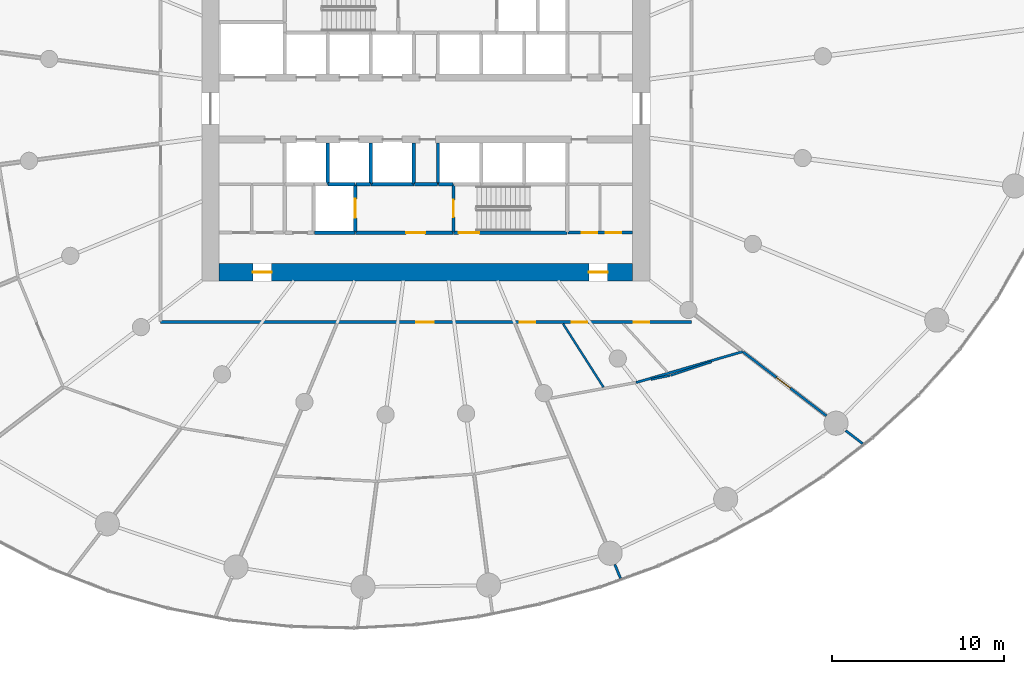
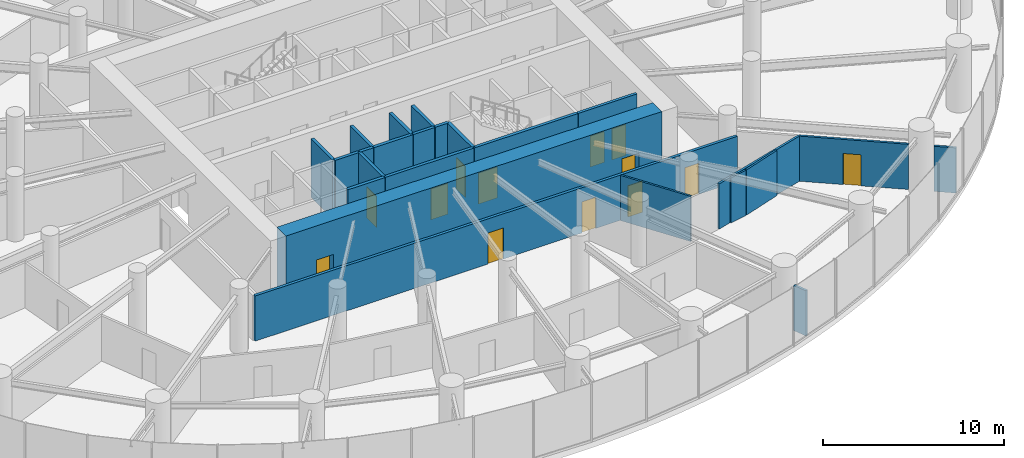
# One storey, part 12 of 18: 24 walls, 13 doors, 13 openings.
"""IFC4 building model written with IfcOpenShell, lengths in metres."""

from ifc_helpers import new_model, si_unit, direction, frame, frame_2d, origin, place, context, subcontext, project, spatial, rectangle, extrude, source, transform, mapped, material, layer, layer_set, type_object, element, fill, save


model = new_model("IFC4")

# Units and contexts
model_context = context("Model", 3, precision=1e-05, world=origin(), true_north=direction((0.0, 1.0)))
body_context = subcontext(model_context, "Body", "Model", "MODEL_VIEW")
ifc_project = project(units=[si_unit("LENGTHUNIT", "METRE"), si_unit("AREAUNIT", "SQUARE_METRE"), si_unit("VOLUMEUNIT", "CUBIC_METRE"), si_unit("PLANEANGLEUNIT", "RADIAN"), si_unit("MASSUNIT", "GRAM", prefix="KILO")], contexts=[model_context])

# Site, building, storey
site_placement = place(None, origin())
site = spatial("IfcSite", under=ifc_project, at=site_placement, CompositionType="ELEMENT")
building_placement = place(site_placement, origin())
building = spatial("IfcBuilding", under=site, at=building_placement, Name="Spindrift Exchange Tower", CompositionType="ELEMENT")
storey_placement = place(building_placement, frame((0.0, 0.0, 66.60009765625)))
storey = spatial("IfcBuildingStorey", under=building, at=storey_placement, Name="L15", CompositionType="ELEMENT", Elevation=66.60009765625)

# Wall, openings, doors
ifc_material_1 = material(Name="Concrete 80 MPa", Category="concrete")
ifc_layer_1 = layer(ifc_material_1, 1.0)
ifc_layer_set_1 = layer_set([ifc_layer_1], Name="RC Core Wall 1000 Concrete 80 MPa")
wall_type_1 = type_object("IfcWallType", Name="RC Core Wall 1000 Concrete 80 MPa", PredefinedType="SHEAR", material=ifc_layer_set_1)
wall_1_placement = place(storey_placement, frame((40.0, 38.5, 0.0), z_axis=(0.0, 0.0, 1.0), x_axis=(1.0, 0.0, 0.0)))
wall_1 = element("IfcWall", 1, at=wall_1_placement, inside=storey, type_object=wall_type_1, Name="Core wall S L15", PredefinedType="SHEAR", context=body_context, shape_type="SweptSolid", body=[
    extrude(rectangle(XDim=24.0, YDim=1.0, at=frame_2d((12.0, 0.0))), origin(), (0.0, 0.0, 1.0), 4.39990234375),
])
opening_1_placement = place(wall_1_placement, frame((21.449951171875, 0.0, 0.0)))
opening_1 = element("IfcOpeningElement", 2, at=opening_1_placement, cuts=wall_1, Name="Opening L15-D22", PredefinedType="OPENING", context=body_context, shape_type="SweptSolid", body=[
    extrude(rectangle(XDim=1.10009765625, YDim=2.10009765625, at=frame_2d((0.550048828125, 1.050048828125))), frame((0.0, 0.510009765625, 0.0), z_axis=(0.0, -1.0, 0.0), x_axis=(1.0, 0.0, 0.0)), (0.0, 0.0, 1.0), 1.02001953125),
])
opening_2_placement = place(wall_1_placement, frame((1.949951171875, 0.0, 0.0)))
opening_2 = element("IfcOpeningElement", 3, at=opening_2_placement, cuts=wall_1, Name="Opening L15-D23", PredefinedType="OPENING", context=body_context, shape_type="SweptSolid", body=[
    extrude(rectangle(XDim=1.10009765625, YDim=2.10009765625, at=frame_2d((0.550048828125, 1.050048828125))), frame((0.0, 0.510009765625, 0.0), z_axis=(0.0, -1.0, 0.0), x_axis=(1.0, 0.0, 0.0)), (0.0, 0.0, 1.0), 1.02001953125),
])
ifc_material_2 = material(Name="Steel fire door", Category="steel")
door_type_1 = type_object("IfcDoorType", Name="DR-STAIR-1100", OperationType="NOTDEFINED", PredefinedType="DOOR", material=ifc_material_2)
shared_shape_1 = source(origin(), body_context, "Body", "SweptSolid", [
    extrude(rectangle(XDim=1.10009765625, YDim=2.10009765625, at=frame_2d((0.550048828125, 1.050048828125))), frame((0.0, 0.02490234375, 0.0), z_axis=(0.0, -1.0, 0.0), x_axis=(1.0, 0.0, 0.0)), (0.0, 0.0, 1.0), 0.050048828125),
])
door_1_placement = place(opening_1_placement, origin())
door_1 = element("IfcDoor", 4, at=door_1_placement, inside=storey, type_object=door_type_1, Name="L15 Stair door 22", OperationType="SINGLE_SWING_RIGHT", OverallHeight=2.10009765625, OverallWidth=1.10009765625, PredefinedType="DOOR", context=body_context, shape_type="MappedRepresentation", body=[
    mapped(shared_shape_1, transform((0.0, 0.0, 0.0), scale=1.0)),
])
fill(opening_1, door_1)
door_2_placement = place(opening_2_placement, origin())
door_2 = element("IfcDoor", 5, at=door_2_placement, inside=storey, type_object=door_type_1, Name="L15 Stair door 23", OperationType="SINGLE_SWING_LEFT", OverallHeight=2.10009765625, OverallWidth=1.10009765625, PredefinedType="DOOR", context=body_context, shape_type="MappedRepresentation", body=[
    mapped(shared_shape_1, transform((0.0, 0.0, 0.0), scale=1.0)),
])
fill(opening_2, door_2)

ifc_material_3 = material(Name="Fire-rated plasterboard partition", Category="gypsum")
ifc_layer_2 = layer(ifc_material_3, 0.179931640625)
ifc_layer_set_2 = layer_set([ifc_layer_2], Name="W-CORR-180")
wall_type_2 = type_object("IfcWallType", Name="W-CORR-180", PredefinedType="PARTITIONING", material=ifc_layer_set_2)
wall_2_placement = place(storey_placement, frame((60.22998046875, 40.800048828125, 0.0), z_axis=(0.0, 0.0, 1.0), x_axis=(1.0, 0.0, 0.0)))
wall_2 = element("IfcWall", 6, at=wall_2_placement, inside=storey, type_object=wall_type_2, Name="L15 Partition wall 63", PredefinedType="PARTITIONING", context=body_context, shape_type="SweptSolid", body=[
    extrude(rectangle(XDim=3.75, YDim=0.179931640625, at=frame_2d((1.875, 0.0))), origin(), (0.0, 0.0, 1.0), 3.949951171875),
])
opening_3_placement = place(wall_2_placement, frame((0.800048828125, 0.0, 0.0)))
opening_3 = element("IfcOpeningElement", 7, at=opening_3_placement, cuts=wall_2, Name="Opening L15-D52", PredefinedType="OPENING", context=body_context, shape_type="SweptSolid", body=[
    extrude(rectangle(XDim=0.89990234375, YDim=2.10009765625, at=frame_2d((0.449951171875, 1.050048828125))), frame((0.0, 0.099853515625, 0.0), z_axis=(0.0, -1.0, 0.0), x_axis=(1.0, 0.0, 0.0)), (0.0, 0.0, 1.0), 0.199951171875),
])
opening_4_placement = place(wall_2_placement, frame((2.199951171875, 0.0, 0.0)))
opening_4 = element("IfcOpeningElement", 8, at=opening_4_placement, cuts=wall_2, Name="Opening L15-D53", PredefinedType="OPENING", context=body_context, shape_type="SweptSolid", body=[
    extrude(rectangle(XDim=0.89990234375, YDim=2.10009765625, at=frame_2d((0.449951171875, 1.050048828125))), frame((0.0, 0.099853515625, 0.0), z_axis=(0.0, -1.0, 0.0), x_axis=(1.0, 0.0, 0.0)), (0.0, 0.0, 1.0), 0.199951171875),
])
ifc_material_4 = material(Name="Steel access door", Category="steel")
door_type_2 = type_object("IfcDoorType", Name="DR-RISER-900", OperationType="NOTDEFINED", PredefinedType="DOOR", material=ifc_material_4)
shared_shape_2 = source(origin(), body_context, "Body", "SweptSolid", [
    extrude(rectangle(XDim=0.89990234375, YDim=2.10009765625, at=frame_2d((0.449951171875, 1.050048828125))), frame((0.0, 0.02490234375, 0.0), z_axis=(0.0, -1.0, 0.0), x_axis=(1.0, 0.0, 0.0)), (0.0, 0.0, 1.0), 0.050048828125),
])
door_3_placement = place(opening_3_placement, origin())
door_3 = element("IfcDoor", 9, at=door_3_placement, inside=storey, type_object=door_type_2, Name="L15 Riser door 52", OperationType="SINGLE_SWING_RIGHT", OverallHeight=2.10009765625, OverallWidth=0.89990234375, PredefinedType="DOOR", context=body_context, shape_type="MappedRepresentation", body=[
    mapped(shared_shape_2, transform((0.0, 0.0, 0.0), scale=1.0)),
])
fill(opening_3, door_3)
door_4_placement = place(opening_4_placement, origin())
door_4 = element("IfcDoor", 10, at=door_4_placement, inside=storey, type_object=door_type_2, Name="L15 Riser door 53", OperationType="SINGLE_SWING_LEFT", OverallHeight=2.10009765625, OverallWidth=0.89990234375, PredefinedType="DOOR", context=body_context, shape_type="MappedRepresentation", body=[
    mapped(shared_shape_2, transform((0.0, 0.0, 0.0), scale=1.0)),
])
fill(opening_4, door_4)

# Wall
ifc_layer_3 = layer(ifc_material_3, 0.139892578125)
ifc_layer_set_3 = layer_set([ifc_layer_3], Name="W-PART-140")
wall_type_3 = type_object("IfcWallType", Name="W-PART-140", PredefinedType="PARTITIONING", material=ifc_layer_set_3)
wall_3_placement = place(storey_placement, frame((64.20068359375, 32.099609375, 0.0), z_axis=(0.0, 0.0, 1.0), x_axis=(0.96039403273, 0.278645477079, 0.0)))
element("IfcWall", 11, at=wall_3_placement, inside=storey, type_object=wall_type_3, Name="L15 Partition wall 80", PredefinedType="PARTITIONING", context=body_context, shape_type="SweptSolid", body=[
    extrude(rectangle(XDim=6.43798828125, YDim=0.139892578125, at=frame_2d((3.218994140625, 0.0))), origin(), (0.0, 0.0, 1.0), 3.0498046875),
])

# Wall, opening, door
wall_4_placement = place(storey_placement, frame((75.241943359375, 30.166015625, 0.0), z_axis=(0.0, 0.0, 1.0), x_axis=(-0.793369627486, 0.608740202535, 0.0)))
wall_4 = element("IfcWall", 12, at=wall_4_placement, inside=storey, type_object=wall_type_3, Name="L15 Partition wall 84", PredefinedType="PARTITIONING", context=body_context, shape_type="SweptSolid", body=[
    extrude(rectangle(XDim=6.09326171875, YDim=0.139892578125, at=frame_2d((3.046630859375, 0.0))), origin(), (0.0, 0.0, 1.0), 3.0498046875),
])
opening_5_placement = place(wall_4_placement, frame((2.643310546875, 0.0, 0.0)))
opening_5 = element("IfcOpeningElement", 13, at=opening_5_placement, cuts=wall_4, Name="Opening L15-D28", PredefinedType="OPENING", context=body_context, shape_type="SweptSolid", body=[
    extrude(rectangle(XDim=1.0, YDim=2.10009765625, at=frame_2d((0.5, 1.050048828125))), frame((0.0, 0.079833984375, 0.0), z_axis=(0.0, -1.0, 0.0), x_axis=(1.0, 0.0, 0.0)), (0.0, 0.0, 1.0), 0.159912109375),
])
ifc_material_5 = material(Name="Timber-core fire door", Category="wood")
door_type_3 = type_object("IfcDoorType", Name="DR-ROOM-1000", OperationType="NOTDEFINED", PredefinedType="DOOR", material=ifc_material_5)
shared_shape_3 = source(origin(), body_context, "Body", "SweptSolid", [
    extrude(rectangle(XDim=1.0, YDim=2.10009765625, at=frame_2d((0.5, 1.050048828125))), frame((0.0, 0.02490234375, 0.0), z_axis=(0.0, -1.0, 0.0), x_axis=(1.0, 0.0, 0.0)), (0.0, 0.0, 1.0), 0.050048828125),
])
door_5_placement = place(opening_5_placement, origin())
door_5 = element("IfcDoor", 14, at=door_5_placement, inside=storey, type_object=door_type_3, Name="L15 Door 28", OperationType="SINGLE_SWING_RIGHT", OverallHeight=2.10009765625, OverallWidth=1.0, PredefinedType="DOOR", context=body_context, shape_type="MappedRepresentation", body=[
    mapped(shared_shape_3, transform((0.0, 0.0, 0.0), scale=1.0)),
])
fill(opening_5, door_5)

# Walls
wall_5_placement = place(storey_placement, frame((76.359375, 29.30859375, 0.0), z_axis=(0.0, 0.0, 1.0), x_axis=(0.793287286722, -0.608847502028, 0.0)))
element("IfcWall", 15, at=wall_5_placement, inside=storey, type_object=wall_type_3, Name="L15 Partition wall 123", PredefinedType="PARTITIONING", context=body_context, shape_type="SweptSolid", body=[
    extrude(rectangle(XDim=1.244384765625, YDim=0.139892578125, at=frame_2d((0.6220703125, 0.0))), origin(), (0.0, 0.0, 1.0), 3.0498046875),
])
wall_6_placement = place(storey_placement, frame((62.960205078125, 21.5400390625, 0.0), z_axis=(0.0, 0.0, 1.0), x_axis=(0.382660776335, -0.923888916621, 0.0)))
element("IfcWall", 16, at=wall_6_placement, inside=storey, type_object=wall_type_3, Name="L15 Partition wall 128", PredefinedType="PARTITIONING", context=body_context, shape_type="SweptSolid", body=[
    extrude(rectangle(XDim=0.860595703125, YDim=0.139892578125, at=frame_2d((0.43017578125, 0.0))), origin(), (0.0, 0.0, 1.0), 3.0498046875),
])

# Wall, openings, doors
ifc_layer_4 = layer(ifc_material_3, 0.179931640625)
ifc_layer_set_4 = layer_set([ifc_layer_4], Name="W-PLANT-180")
wall_type_4 = type_object("IfcWallType", Name="W-PLANT-180", PredefinedType="PARTITIONING", material=ifc_layer_set_4)
wall_7_placement = place(storey_placement, frame((67.39990234375, 35.60009765625, 0.0), z_axis=(0.0, 0.0, 1.0), x_axis=(-1.0, 0.0, 0.0)))
wall_7 = element("IfcWall", 17, at=wall_7_placement, inside=storey, type_object=wall_type_4, Name="L15 Partition wall 57", PredefinedType="PARTITIONING", context=body_context, shape_type="SweptSolid", body=[
    extrude(rectangle(XDim=30.7998046875, YDim=0.179931640625, at=frame_2d((15.39990234375, 0.0))), origin(), (0.0, 0.0, 1.0), 3.0498046875),
])
opening_6_placement = place(wall_7_placement, frame((9.050048828125, 0.0, 0.0)))
opening_6 = element("IfcOpeningElement", 18, at=opening_6_placement, cuts=wall_7, Name="Opening L15-D24", PredefinedType="OPENING", context=body_context, shape_type="SweptSolid", body=[
    extrude(rectangle(XDim=0.89990234375, YDim=2.10009765625, at=frame_2d((0.449951171875, 1.050048828125))), frame((0.0, 0.099853515625, 0.0), z_axis=(0.0, -1.0, 0.0), x_axis=(1.0, 0.0, 0.0)), (0.0, 0.0, 1.0), 0.199951171875),
])
opening_7_placement = place(wall_7_placement, frame((6.050048828125, 0.0, 0.0)))
opening_7 = element("IfcOpeningElement", 19, at=opening_7_placement, cuts=wall_7, Name="Opening L15-D25", PredefinedType="OPENING", context=body_context, shape_type="SweptSolid", body=[
    extrude(rectangle(XDim=0.89990234375, YDim=2.10009765625, at=frame_2d((0.449951171875, 1.050048828125))), frame((0.0, 0.099853515625, 0.0), z_axis=(0.0, -1.0, 0.0), x_axis=(1.0, 0.0, 0.0)), (0.0, 0.0, 1.0), 0.199951171875),
])
opening_8_placement = place(wall_7_placement, frame((2.449951171875, 0.0, 0.0)))
opening_8 = element("IfcOpeningElement", 20, at=opening_8_placement, cuts=wall_7, Name="Opening L15-D26", PredefinedType="OPENING", context=body_context, shape_type="SweptSolid", body=[
    extrude(rectangle(XDim=0.89990234375, YDim=2.10009765625, at=frame_2d((0.449951171875, 1.050048828125))), frame((0.0, 0.099853515625, 0.0), z_axis=(0.0, -1.0, 0.0), x_axis=(1.0, 0.0, 0.0)), (0.0, 0.0, 1.0), 0.199951171875),
])
opening_9_placement = place(wall_7_placement, frame((14.949951171875, 0.0, 0.0)))
opening_9 = element("IfcOpeningElement", 21, at=opening_9_placement, cuts=wall_7, Name="Opening L15-D41", PredefinedType="OPENING", context=body_context, shape_type="SweptSolid", body=[
    extrude(rectangle(XDim=1.0, YDim=2.10009765625, at=frame_2d((0.5, 1.050048828125))), frame((0.0, 0.099853515625, 0.0), z_axis=(0.0, -1.0, 0.0), x_axis=(1.0, 0.0, 0.0)), (0.0, 0.0, 1.0), 0.199951171875),
])
door_6_placement = place(opening_9_placement, origin())
door_6 = element("IfcDoor", 22, at=door_6_placement, inside=storey, type_object=door_type_3, Name="L15 Door 41", OperationType="SINGLE_SWING_LEFT", OverallHeight=2.10009765625, OverallWidth=1.0, PredefinedType="DOOR", context=body_context, shape_type="MappedRepresentation", body=[
    mapped(shared_shape_3, transform((0.0, 0.0, 0.0), scale=1.0)),
])
fill(opening_9, door_6)
ifc_material_6 = material(Name="Laminate washroom door", Category="wood")
door_type_4 = type_object("IfcDoorType", Name="DR-WC-900", OperationType="NOTDEFINED", PredefinedType="DOOR", material=ifc_material_6)
shared_shape_4 = source(origin(), body_context, "Body", "SweptSolid", [
    extrude(rectangle(XDim=0.89990234375, YDim=2.10009765625, at=frame_2d((0.449951171875, 1.050048828125))), frame((0.0, 0.02490234375, 0.0), z_axis=(0.0, -1.0, 0.0), x_axis=(1.0, 0.0, 0.0)), (0.0, 0.0, 1.0), 0.050048828125),
])
door_7_placement = place(opening_6_placement, origin())
door_7 = element("IfcDoor", 23, at=door_7_placement, inside=storey, type_object=door_type_4, Name="L15 WC door 24", OperationType="SINGLE_SWING_RIGHT", OverallHeight=2.10009765625, OverallWidth=0.89990234375, PredefinedType="DOOR", context=body_context, shape_type="MappedRepresentation", body=[
    mapped(shared_shape_4, transform((0.0, 0.0, 0.0), scale=1.0)),
])
fill(opening_6, door_7)
door_8_placement = place(opening_7_placement, origin())
door_8 = element("IfcDoor", 24, at=door_8_placement, inside=storey, type_object=door_type_4, Name="L15 WC door 25", OperationType="SINGLE_SWING_LEFT", OverallHeight=2.10009765625, OverallWidth=0.89990234375, PredefinedType="DOOR", context=body_context, shape_type="MappedRepresentation", body=[
    mapped(shared_shape_4, transform((0.0, 0.0, 0.0), scale=1.0)),
])
fill(opening_7, door_8)
door_9_placement = place(opening_8_placement, origin())
door_9 = element("IfcDoor", 25, at=door_9_placement, inside=storey, type_object=door_type_4, Name="L15 WC door 26", OperationType="SINGLE_SWING_RIGHT", OverallHeight=2.10009765625, OverallWidth=0.89990234375, PredefinedType="DOOR", context=body_context, shape_type="MappedRepresentation", body=[
    mapped(shared_shape_4, transform((0.0, 0.0, 0.0), scale=1.0)),
])
fill(opening_8, door_9)

# Wall, opening, door
ifc_material_7 = material(Name="Concrete 40 MPa", Category="concrete")
ifc_layer_5 = layer(ifc_material_7, 0.199951171875)
ifc_layer_set_5 = layer_set([ifc_layer_5], Name="W-SHAFT-200")
wall_type_5 = type_object("IfcWallType", Name="W-SHAFT-200", PredefinedType="SOLIDWALL", material=ifc_layer_set_5)
wall_8_placement = place(storey_placement, frame((47.89990234375, 40.830078125, 0.0), z_axis=(0.0, 0.0, 1.0), x_axis=(0.0, 1.0, 0.0)))
wall_8 = element("IfcWall", 26, at=wall_8_placement, inside=storey, type_object=wall_type_5, Name="L15 Shaft wall 8", PredefinedType="SOLIDWALL", context=body_context, shape_type="SweptSolid", body=[
    extrude(rectangle(XDim=2.77001953125, YDim=0.199951171875, at=frame_2d((1.385009765625, 0.0))), origin(), (0.0, 0.0, 1.0), 3.949951171875),
])
opening_10_placement = place(wall_8_placement, frame((0.820068359375, 0.0, 0.0)))
opening_10 = element("IfcOpeningElement", 27, at=opening_10_placement, cuts=wall_8, Name="Opening L15-D10", PredefinedType="OPENING", context=body_context, shape_type="SweptSolid", body=[
    extrude(rectangle(XDim=1.10009765625, YDim=2.10009765625, at=frame_2d((0.550048828125, 1.050048828125))), frame((0.0, 0.10986328125, 0.0), z_axis=(0.0, -1.0, 0.0), x_axis=(1.0, 0.0, 0.0)), (0.0, 0.0, 1.0), 0.219970703125),
])
ifc_material_8 = material(Name="Stainless steel landing door", Category="steel")
door_type_5 = type_object("IfcDoorType", Name="DR-LANDING-1100-SL", OperationType="DOUBLE_DOOR_SLIDING", PredefinedType="USERDEFINED", material=ifc_material_8)
shared_shape_5 = source(origin(), body_context, "Body", "SweptSolid", [
    extrude(rectangle(XDim=1.10009765625, YDim=2.10009765625, at=frame_2d((0.550048828125, 1.050048828125))), frame((0.0, 0.02490234375, 0.0), z_axis=(0.0, -1.0, 0.0), x_axis=(1.0, 0.0, 0.0)), (0.0, 0.0, 1.0), 0.050048828125),
])
door_10_placement = place(opening_10_placement, origin())
door_10 = element("IfcDoor", 28, at=door_10_placement, inside=storey, type_object=door_type_5, Name="L15 Lift landing door 10", ObjectType="LANDING DOOR", OperationType="DOUBLE_DOOR_SLIDING", OverallHeight=2.10009765625, OverallWidth=1.10009765625, PredefinedType="USERDEFINED", context=body_context, shape_type="MappedRepresentation", body=[
    mapped(shared_shape_5, transform((0.0, 0.0, 0.0), scale=1.0)),
])
fill(opening_10, door_10)

# Walls
wall_9_placement = place(storey_placement, frame((48.800048828125, 43.60009765625, 0.0), z_axis=(0.0, 0.0, 1.0), x_axis=(1.0, 0.0, 0.0)))
element("IfcWall", 29, at=wall_9_placement, inside=storey, type_object=wall_type_5, Name="L15 Shaft wall 17", PredefinedType="SOLIDWALL", context=body_context, shape_type="SweptSolid", body=[
    extrude(rectangle(XDim=2.5, YDim=0.199951171875, at=frame_2d((1.25, 0.0))), origin(), (0.0, 0.0, 1.0), 3.949951171875),
])
wall_10_placement = place(storey_placement, frame((45.530029296875, 40.800048828125, 0.0), z_axis=(0.0, 0.0, 1.0), x_axis=(1.0, 0.0, 0.0)))
element("IfcWall", 30, at=wall_10_placement, inside=storey, type_object=wall_type_5, Name="L15 Shaft wall 21", PredefinedType="SOLIDWALL", context=body_context, shape_type="SweptSolid", body=[
    extrude(rectangle(XDim=2.340087890625, YDim=0.199951171875, at=frame_2d((1.169921875, 0.0))), origin(), (0.0, 0.0, 1.0), 3.949951171875),
])
wall_11_placement = place(storey_placement, frame((46.300048828125, 43.60009765625, 0.0), z_axis=(0.0, 0.0, 1.0), x_axis=(0.0, 1.0, 0.0)))
element("IfcWall", 31, at=wall_11_placement, inside=storey, type_object=wall_type_5, Name="L15 Shaft wall 25", PredefinedType="SOLIDWALL", context=body_context, shape_type="SweptSolid", body=[
    extrude(rectangle(XDim=2.389892578125, YDim=0.199951171875, at=frame_2d((1.19482421875, 0.0))), origin(), (0.0, 0.0, 1.0), 3.949951171875),
])
for number, where, z_axis, x_axis, name in (
    (32, (48.800048828125, 43.6298828125, 0.0), (0.0, 0.0, 1.0), (0.0, 1.0, 0.0), "L15 Shaft wall 27"),
    (33, (51.300048828125, 43.6298828125, 0.0), (0.0, 0.0, 1.0), (0.0, 1.0, 0.0), "L15 Shaft wall 29"),
):
    element("IfcWall", number, at=place(storey_placement, frame(where, z_axis=z_axis, x_axis=x_axis)), inside=storey, type_object=wall_type_5, Name=name, PredefinedType="SOLIDWALL", context=body_context, shape_type="SweptSolid", body=[
        extrude(rectangle(XDim=2.360107421875, YDim=0.199951171875, at=frame_2d((1.18017578125, 0.0))), origin(), (0.0, 0.0, 1.0), 3.949951171875),
    ])
wall_12_placement = place(storey_placement, frame((52.699951171875, 45.989990234375, 0.0), z_axis=(0.0, 0.0, 1.0), x_axis=(0.0, -1.0, 0.0)))
element("IfcWall", 34, at=wall_12_placement, inside=storey, type_object=wall_type_5, Name="L15 Shaft wall 31", PredefinedType="SOLIDWALL", context=body_context, shape_type="SweptSolid", body=[
    extrude(rectangle(XDim=2.389892578125, YDim=0.199951171875, at=frame_2d((1.19482421875, 0.0))), origin(), (0.0, 0.0, 1.0), 3.949951171875),
])
wall_13_placement = place(storey_placement, frame((46.330078125, 43.60009765625, 0.0), z_axis=(0.0, 0.0, 1.0), x_axis=(1.0, 0.0, 0.0)))
element("IfcWall", 35, at=wall_13_placement, inside=storey, type_object=wall_type_5, Name="L15 Shaft wall 44", PredefinedType="SOLIDWALL", context=body_context, shape_type="SweptSolid", body=[
    extrude(rectangle(XDim=1.5400390625, YDim=0.199951171875, at=frame_2d((0.77001953125, 0.0))), origin(), (0.0, 0.0, 1.0), 3.949951171875),
])
wall_14_placement = place(storey_placement, frame((52.669921875, 43.60009765625, 0.0), z_axis=(0.0, 0.0, 1.0), x_axis=(-1.0, 0.0, 0.0)))
element("IfcWall", 36, at=wall_14_placement, inside=storey, type_object=wall_type_5, Name="L15 Shaft wall 48", PredefinedType="SOLIDWALL", context=body_context, shape_type="SweptSolid", body=[
    extrude(rectangle(XDim=1.33984375, YDim=0.199951171875, at=frame_2d((0.669921875, 0.0))), origin(), (0.0, 0.0, 1.0), 3.949951171875),
])
wall_15_placement = place(storey_placement, frame((47.929931640625, 43.60009765625, 0.0), z_axis=(0.0, 0.0, 1.0), x_axis=(1.0, 0.0, 0.0)))
element("IfcWall", 37, at=wall_15_placement, inside=storey, type_object=wall_type_5, Name="L15 Shaft wall 50", PredefinedType="SOLIDWALL", context=body_context, shape_type="SweptSolid", body=[
    extrude(rectangle(XDim=0.840087890625, YDim=0.199951171875, at=frame_2d((0.419921875, 0.0))), origin(), (0.0, 0.0, 1.0), 3.949951171875),
])

# Wall, opening, door
ifc_layer_6 = layer(ifc_material_7, 0.199951171875)
ifc_layer_set_6 = layer_set([ifc_layer_6], Name="W-SHAFT-200-LB")
wall_type_6 = type_object("IfcWallType", Name="W-SHAFT-200-LB", PredefinedType="SOLIDWALL", material=ifc_layer_set_6)
wall_16_placement = place(storey_placement, frame((53.60009765625, 40.800048828125, 0.0), z_axis=(0.0, 0.0, 1.0), x_axis=(1.0, 0.0, 0.0)))
wall_16 = element("IfcWall", 38, at=wall_16_placement, inside=storey, type_object=wall_type_6, Name="L15 Shaft wall 2", PredefinedType="SOLIDWALL", context=body_context, shape_type="SweptSolid", body=[
    extrude(rectangle(XDim=6.599853515625, YDim=0.199951171875, at=frame_2d((3.2998046875, 0.0))), origin(), (0.0, 0.0, 1.0), 3.949951171875),
])
opening_11_placement = place(wall_16_placement, frame((0.300048828125, 0.0, 0.0)))
opening_11 = element("IfcOpeningElement", 39, at=opening_11_placement, cuts=wall_16, Name="Opening L15-D16", PredefinedType="OPENING", context=body_context, shape_type="SweptSolid", body=[
    extrude(rectangle(XDim=1.199951171875, YDim=2.10009765625, at=frame_2d((0.60009765625, 1.050048828125))), frame((0.0, 0.10986328125, 0.0), z_axis=(0.0, -1.0, 0.0), x_axis=(1.0, 0.0, 0.0)), (0.0, 0.0, 1.0), 0.219970703125),
])
door_type_6 = type_object("IfcDoorType", Name="DR-STAIR-1200", OperationType="NOTDEFINED", PredefinedType="DOOR", material=ifc_material_2)
shared_shape_6 = source(origin(), body_context, "Body", "SweptSolid", [
    extrude(rectangle(XDim=1.199951171875, YDim=2.10009765625, at=frame_2d((0.60009765625, 1.050048828125))), frame((0.0, 0.02490234375, 0.0), z_axis=(0.0, -1.0, 0.0), x_axis=(1.0, 0.0, 0.0)), (0.0, 0.0, 1.0), 0.050048828125),
])
door_11_placement = place(opening_11_placement, origin())
door_11 = element("IfcDoor", 40, at=door_11_placement, inside=storey, type_object=door_type_6, Name="L15 Stair door 16", OperationType="SINGLE_SWING_RIGHT", OverallHeight=2.10009765625, OverallWidth=1.199951171875, PredefinedType="DOOR", context=body_context, shape_type="MappedRepresentation", body=[
    mapped(shared_shape_6, transform((0.0, 0.0, 0.0), scale=1.0)),
])
fill(opening_11, door_11)

wall_17_placement = place(storey_placement, frame((47.89990234375, 40.800048828125, 0.0), z_axis=(0.0, 0.0, 1.0), x_axis=(1.0, 0.0, 0.0)))
wall_17 = element("IfcWall", 41, at=wall_17_placement, inside=storey, type_object=wall_type_6, Name="L15 Shaft wall 3", PredefinedType="SOLIDWALL", context=body_context, shape_type="SweptSolid", body=[
    extrude(rectangle(XDim=5.670166015625, YDim=0.199951171875, at=frame_2d((2.8349609375, 0.0))), origin(), (0.0, 0.0, 1.0), 3.949951171875),
])
opening_12_placement = place(wall_17_placement, frame((2.949951171875, 0.0, 0.0)))
opening_12 = element("IfcOpeningElement", 42, at=opening_12_placement, cuts=wall_17, Name="Opening L15-D18", PredefinedType="OPENING", context=body_context, shape_type="SweptSolid", body=[
    extrude(rectangle(XDim=1.10009765625, YDim=2.10009765625, at=frame_2d((0.550048828125, 1.050048828125))), frame((0.0, 0.10986328125, 0.0), z_axis=(0.0, -1.0, 0.0), x_axis=(1.0, 0.0, 0.0)), (0.0, 0.0, 1.0), 0.219970703125),
])
door_type_7 = type_object("IfcDoorType", Name="DR-LOBBY-1100", OperationType="NOTDEFINED", PredefinedType="DOOR", material=ifc_material_5)
shared_shape_7 = source(origin(), body_context, "Body", "SweptSolid", [
    extrude(rectangle(XDim=1.10009765625, YDim=2.10009765625, at=frame_2d((0.550048828125, 1.050048828125))), frame((0.0, 0.02490234375, 0.0), z_axis=(0.0, -1.0, 0.0), x_axis=(1.0, 0.0, 0.0)), (0.0, 0.0, 1.0), 0.050048828125),
])
door_12_placement = place(opening_12_placement, origin())
door_12 = element("IfcDoor", 43, at=door_12_placement, inside=storey, type_object=door_type_7, Name="L15 Lobby door 18", OperationType="SINGLE_SWING_RIGHT", OverallHeight=2.10009765625, OverallWidth=1.10009765625, PredefinedType="DOOR", context=body_context, shape_type="MappedRepresentation", body=[
    mapped(shared_shape_7, transform((0.0, 0.0, 0.0), scale=1.0)),
])
fill(opening_12, door_12)

wall_18_placement = place(storey_placement, frame((53.60009765625, 43.60009765625, 0.0), z_axis=(0.0, 0.0, 1.0), x_axis=(0.0, -1.0, 0.0)))
wall_18 = element("IfcWall", 44, at=wall_18_placement, inside=storey, type_object=wall_type_6, Name="L15 Shaft wall 11", PredefinedType="SOLIDWALL", context=body_context, shape_type="SweptSolid", body=[
    extrude(rectangle(XDim=2.77001953125, YDim=0.199951171875, at=frame_2d((1.385009765625, 0.0))), origin(), (0.0, 0.0, 1.0), 3.949951171875),
])
opening_13_placement = place(wall_18_placement, frame((0.89990234375, 0.0, 0.0)))
opening_13 = element("IfcOpeningElement", 45, at=opening_13_placement, cuts=wall_18, Name="Opening L15-D17", PredefinedType="OPENING", context=body_context, shape_type="SweptSolid", body=[
    extrude(rectangle(XDim=1.0, YDim=2.10009765625, at=frame_2d((0.5, 1.050048828125))), frame((0.0, 0.10986328125, 0.0), z_axis=(0.0, -1.0, 0.0), x_axis=(1.0, 0.0, 0.0)), (0.0, 0.0, 1.0), 0.219970703125),
])
door_type_8 = type_object("IfcDoorType", Name="DR-STAIR-1000", OperationType="NOTDEFINED", PredefinedType="DOOR", material=ifc_material_2)
shared_shape_8 = source(origin(), body_context, "Body", "SweptSolid", [
    extrude(rectangle(XDim=1.0, YDim=2.10009765625, at=frame_2d((0.5, 1.050048828125))), frame((0.0, 0.02490234375, 0.0), z_axis=(0.0, -1.0, 0.0), x_axis=(1.0, 0.0, 0.0)), (0.0, 0.0, 1.0), 0.050048828125),
])
door_13_placement = place(opening_13_placement, origin())
door_13 = element("IfcDoor", 46, at=door_13_placement, inside=storey, type_object=door_type_8, Name="L15 Stair door 17", OperationType="SINGLE_SWING_LEFT", OverallHeight=2.10009765625, OverallWidth=1.0, PredefinedType="DOOR", context=body_context, shape_type="MappedRepresentation", body=[
    mapped(shared_shape_8, transform((0.0, 0.0, 0.0), scale=1.0)),
])
fill(opening_13, door_13)

# Walls
wall_19_placement = place(storey_placement, frame((52.72998046875, 43.60009765625, 0.0), z_axis=(0.0, 0.0, 1.0), x_axis=(1.0, 0.0, 0.0)))
element("IfcWall", 47, at=wall_19_placement, inside=storey, type_object=wall_type_6, Name="L15 Shaft wall 52", PredefinedType="SOLIDWALL", context=body_context, shape_type="SweptSolid", body=[
    extrude(rectangle(XDim=0.840087890625, YDim=0.199951171875, at=frame_2d((0.419921875, 0.0))), origin(), (0.0, 0.0, 1.0), 3.949951171875),
])
ifc_layer_7 = layer(ifc_material_3, 0.1201171875)
ifc_layer_set_7 = layer_set([ifc_layer_7], Name="W-WET-120")
wall_type_7 = type_object("IfcWallType", Name="W-WET-120", PredefinedType="PARTITIONING", material=ifc_layer_set_7)
wall_20_placement = place(storey_placement, frame((59.95703125, 35.510009765625, 0.0), z_axis=(0.0, 0.0, 1.0), x_axis=(0.537309105997, -0.843385395067, 0.0)))
element("IfcWall", 48, at=wall_20_placement, inside=storey, type_object=wall_type_7, Name="L15 Partition wall 130", PredefinedType="PARTITIONING", context=body_context, shape_type="SweptSolid", body=[
    extrude(rectangle(XDim=4.37109375, YDim=0.1201171875, at=frame_2d((2.185546875, 0.0))), origin(), (0.0, 0.0, 1.0), 3.0498046875),
])
wall_21_placement = place(storey_placement, frame((66.194580078125, 32.509521484375, 0.0), z_axis=(0.0, 0.0, 1.0), x_axis=(0.949518091393, 0.313712279195, 0.0)))
element("IfcWall", 49, at=wall_21_placement, inside=storey, type_object=wall_type_7, Name="L15 Partition wall 131", PredefinedType="PARTITIONING", context=body_context, shape_type="SweptSolid", body=[
    extrude(rectangle(XDim=2.505126953125, YDim=0.1201171875, at=frame_2d((1.25244140625, 0.0))), origin(), (0.0, 0.0, 1.0), 3.0498046875),
])
wall_22_placement = place(storey_placement, frame((65.0625, 32.276611328125, 0.0), z_axis=(0.0, 0.0, 1.0), x_axis=(0.979498592314, 0.201451005592, 0.0)))
element("IfcWall", 50, at=wall_22_placement, inside=storey, type_object=wall_type_7, Name="L15 Partition wall 133", PredefinedType="PARTITIONING", context=body_context, shape_type="SweptSolid", body=[
    extrude(rectangle(XDim=1.1259765625, YDim=0.1201171875, at=frame_2d((0.56298828125, 0.0))), origin(), (0.0, 0.0, 1.0), 3.0498046875),
])

save(model, "model.ifc")
